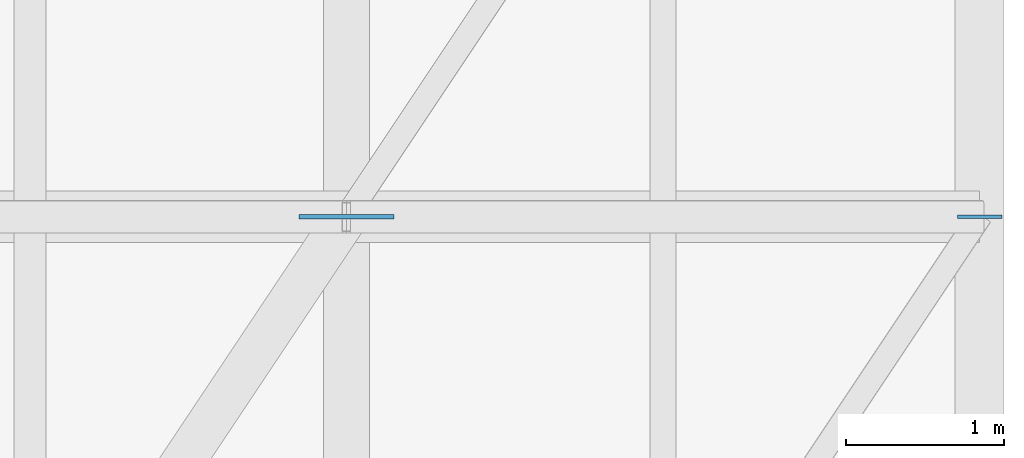
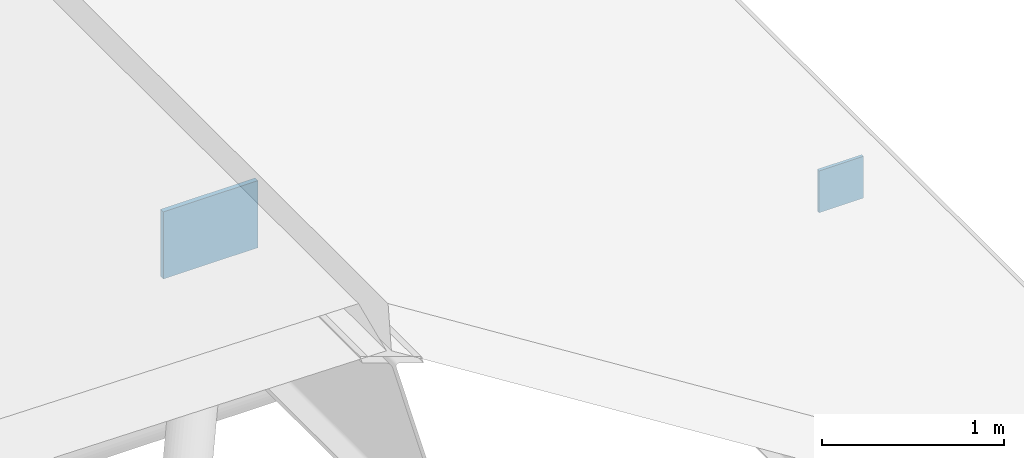
# One storey, part 24 of 27: 2 plates.
"""IFC4 building model written with IfcOpenShell, lengths in metres."""

import ifcopenshell
import ifcopenshell.guid

model = None  # the IFC model being written
_history = None  # IfcOwnerHistory: only IFC2X3 demands one
_inside = {}  # id of a spatial element -> (the spatial element, [elements in it])
_under = {}  # id of a project, library or spatial element -> (it, [spatial elements below it])
_declared = {}  # id of a project -> (the project, [libraries it declares])
_typed = {}  # id of a type object -> (the type object, [elements of that type])
_made_of = {}  # id of a material, layer set ... -> (it, [elements and type objects made of it])


def new_model(schema):
    """Start an empty IFC model of exactly this schema.

    Asked for "IFC4X3", IfcOpenShell would pick the latest addendum, in which some entities
    have other attributes; the version numbers below select the first issue.
    IFC2X3 requires an IfcOwnerHistory on every rooted entity: one is made here for all.
    """
    global model, _history
    if schema == "IFC4X3":
        model = ifcopenshell.file(schema_version=(4, 3, 0, 0))
    else:
        model = ifcopenshell.file(schema=schema)
    _inside.clear()
    _under.clear()
    _declared.clear()
    _typed.clear()
    _made_of.clear()
    _history = None
    if model.schema == "IFC2X3":
        org = make("IfcOrganization", Name="unknown")
        user = make(
            "IfcPersonAndOrganization",
            ThePerson=make("IfcPerson", FamilyName="unknown"),
            TheOrganization=org,
        )
        app = make(
            "IfcApplication",
            ApplicationDeveloper=org,
            Version="unknown",
            ApplicationFullName="unknown",
            ApplicationIdentifier="unknown",
        )
        _history = make(
            "IfcOwnerHistory",
            OwningUser=user,
            OwningApplication=app,
            ChangeAction="ADDED",
            CreationDate=0,
        )
    return model


def make(cls, **values):
    """One entity of the class cls with the attributes given. An attribute that is None is left unset."""
    return model.create_entity(
        cls, **{name: value for name, value in values.items() if value is not None}
    )


def rooted(cls, **values):
    """An entity with a GlobalId (a new one), such as an element, a storey or a relation."""
    return make(cls, GlobalId=ifcopenshell.guid.new(), OwnerHistory=_history, **values)


def si_unit(unit_type, name, prefix=None):
    """IfcSIUnit, for example si_unit("LENGTHUNIT", "METRE", prefix="MILLI")."""
    return make("IfcSIUnit", UnitType=unit_type, Prefix=prefix, Name=name)


def assignment(units):
    """IfcUnitAssignment: the units of a project."""
    return None if units is None else make("IfcUnitAssignment", Units=units)


def point(xyz):
    """IfcCartesianPoint."""
    return None if xyz is None else make("IfcCartesianPoint", Coordinates=xyz)


def direction(xyz):
    """IfcDirection."""
    return None if xyz is None else make("IfcDirection", DirectionRatios=xyz)


def frame(location, z_axis=None, x_axis=None):
    """IfcAxis2Placement3D, a coordinate frame: its origin and axes. An axis left out is left unset."""
    return make(
        "IfcAxis2Placement3D",
        Location=point(location),
        Axis=direction(z_axis),
        RefDirection=direction(x_axis),
    )


def frame_2d(location, x_axis=None):
    """IfcAxis2Placement2D, a coordinate frame in the plane: its origin and x axis."""
    return make(
        "IfcAxis2Placement2D", Location=point(location), RefDirection=direction(x_axis)
    )


def origin():
    """The frame at (0, 0, 0) with its axes left unset."""
    return frame((0.0, 0.0, 0.0))


def origin_2d():
    """The frame at (0, 0) in the plane with its x axis left unset."""
    return frame_2d((0.0, 0.0))


def place(relative_to, where):
    """IfcLocalPlacement: puts the frame where relative to a parent placement (None: the world)."""
    return make(
        "IfcLocalPlacement", PlacementRelTo=relative_to, RelativePlacement=where
    )


def context(
    kind, dimensions, precision=None, world=None, true_north=None, identifier=None
):
    """IfcGeometricRepresentationContext, for example the 3D "Model" context."""
    return make(
        "IfcGeometricRepresentationContext",
        ContextIdentifier=identifier,
        ContextType=kind,
        CoordinateSpaceDimension=dimensions,
        Precision=precision,
        WorldCoordinateSystem=world,
        TrueNorth=true_north,
    )


def subcontext(parent, identifier, kind, view, scale=None):
    """IfcGeometricRepresentationSubContext, for example "Body" below "Model"."""
    return make(
        "IfcGeometricRepresentationSubContext",
        ContextIdentifier=identifier,
        ContextType=kind,
        ParentContext=parent,
        TargetScale=scale,
        TargetView=view,
    )


def project(units=None, contexts=None):
    """IfcProject with its units and contexts."""
    return rooted(
        "IfcProject",
        Name="project",
        RepresentationContexts=contexts,
        UnitsInContext=assignment(units),
    )


def spatial(cls, under=None, at=None, **own):
    """A site, building, storey or space (cls), placed at a placement, below another one or the project."""
    s = rooted(cls, ObjectPlacement=at, **own)
    if under is not None:
        _under.setdefault(under.id(), (under, []))[1].append(s)
    return s


def profile(cls, at=None, kind="AREA", **sizes):
    """A parametric profile (cls). Its sizes go by their IFC names, for example OverallWidth=200.0."""
    return make(cls, ProfileType=kind, Position=at, **sizes)


def rectangle(**sizes):
    """IfcRectangleProfileDef."""
    return profile("IfcRectangleProfileDef", **sizes)


def extrude(swept, where, along, depth):
    """IfcExtrudedAreaSolid: the profile swept, set in the frame where, extruded along a direction by depth."""
    return make(
        "IfcExtrudedAreaSolid",
        SweptArea=swept,
        Position=where,
        ExtrudedDirection=direction(along),
        Depth=depth,
    )


def shape(context_of_items, identifier, shape_type, items):
    """IfcShapeRepresentation: the items that make up one representation, for example the "Body"."""
    return make(
        "IfcShapeRepresentation",
        ContextOfItems=context_of_items,
        RepresentationIdentifier=identifier,
        RepresentationType=shape_type,
        Items=items,
    )


def material(Name=None, Category=None):
    """IfcMaterial."""
    return make("IfcMaterial", Name=Name, Category=Category)


def layer(
    of_material, thickness, ventilated=None, Name=None, Category=None, Priority=None
):
    """IfcMaterialLayer: one layer of a wall or slab, of a material (None: an air gap)."""
    return make(
        "IfcMaterialLayer",
        Material=of_material,
        LayerThickness=thickness,
        IsVentilated=ventilated,
        Name=Name,
        Category=Category,
        Priority=Priority,
    )


def layer_set(layers, Name=None):
    """IfcMaterialLayerSet."""
    return make("IfcMaterialLayerSet", MaterialLayers=layers, LayerSetName=Name)


def made_of(thing, what):
    """Note that an element or type object is made of a material, layer set ...; save() writes the relation."""
    if what is not None:
        _made_of.setdefault(what.id(), (what, []))[1].append(thing)
    return thing


def type_object(cls, material=None, **own):
    """A type object (cls), such as IfcWallType, which elements share."""
    return made_of(rooted(cls, **own), material)


def element(
    cls,
    number,
    at=None,
    inside=None,
    cuts=None,
    type_object=None,
    material=None,
    context=None,
    identifier="Body",
    shape_type=None,
    held_by="IfcProductDefinitionShape",
    body=None,
    shapes=None,
    **own,
):
    """One element of the class cls, such as IfcWall. Its Tag is "e" and its number.

    at: its placement. inside: the storey or other place that contains it. cuts: it is an
    opening in that element (IfcRelVoidsElement). A single representation is given by context,
    identifier, shape_type and body (its items); several are given by shapes. held_by: the class
    of the entity that holds the representations. save() writes the other relations.
    """
    e = rooted(cls, Tag="e%d" % number, ObjectPlacement=at, **own)
    if body is not None:
        shapes = [shape(context, identifier, shape_type, body)]
    if shapes is not None:
        e.Representation = make(held_by, Representations=shapes)
    if inside is not None:
        _inside.setdefault(inside.id(), (inside, []))[1].append(e)
    if cuts is not None:
        rooted(
            "IfcRelVoidsElement", RelatingBuildingElement=cuts, RelatedOpeningElement=e
        )
    if type_object is not None:
        _typed.setdefault(type_object.id(), (type_object, []))[1].append(e)
    return made_of(e, material)


def aggregate(whole, parts):
    """IfcRelAggregates: a whole, such as a stair, and the parts it consists of."""
    return rooted("IfcRelAggregates", RelatingObject=whole, RelatedObjects=parts)


def save(model, path):
    """Write the relations noted so far, then the file.

    IfcRelAggregates (storeys below a building ...), IfcRelContainedInSpatialStructure (elements
    in a storey), IfcRelDefinesByType, IfcRelAssociatesMaterial and IfcRelDeclares: one each for
    every whole, place, type object, material and project.
    """
    for whole, parts in _under.values():
        aggregate(whole, parts)
    for where, things in _inside.values():
        rooted(
            "IfcRelContainedInSpatialStructure",
            RelatedElements=things,
            RelatingStructure=where,
        )
    for kind, things in _typed.values():
        rooted("IfcRelDefinesByType", RelatedObjects=things, RelatingType=kind)
    for what, things in _made_of.values():
        rooted("IfcRelAssociatesMaterial", RelatedObjects=things, RelatingMaterial=what)
    for by, libraries in _declared.values():
        rooted("IfcRelDeclares", RelatingContext=by, RelatedDefinitions=libraries)
    model.write(path)


model = new_model("IFC4")

# Units and contexts
model_context = context("Model", 3, precision=1e-05, world=origin(), true_north=direction((0.0, 1.0)))
body_context = subcontext(model_context, "Body", "Model", "MODEL_VIEW")
ifc_project = project(units=[si_unit("LENGTHUNIT", "METRE"), si_unit("AREAUNIT", "SQUARE_METRE"), si_unit("VOLUMEUNIT", "CUBIC_METRE"), si_unit("PLANEANGLEUNIT", "RADIAN"), si_unit("MASSUNIT", "GRAM", prefix="KILO")], contexts=[model_context])

# Site, building, storey
site_placement = place(None, origin())
site = spatial("IfcSite", under=ifc_project, at=site_placement, CompositionType="ELEMENT")
building_placement = place(site_placement, origin())
building = spatial("IfcBuilding", under=site, at=building_placement, Name="Verrall Gate Interchange", CompositionType="ELEMENT")
storey_placement = place(building_placement, frame((0.0, 0.0, 32.800048828125)))
storey = spatial("IfcBuildingStorey", under=building, at=storey_placement, Name="RF", CompositionType="ELEMENT", Elevation=32.800048828125)

# Plates
ifc_material_1 = material(Name="Structural Steel CSA G40.21 350WT Cat 4", Category="steel")
ifc_layer_1 = layer(ifc_material_1, 0.02001953125)
ifc_layer_set_1 = layer_set([ifc_layer_1], Name="Structural Steel CSA G40.21 350WT Cat 4")
plate_type_1 = type_object("IfcPlateType", Name="GP-01 Gusset Plate 20", PredefinedType="SHEET", material=ifc_layer_set_1)
plate_1_placement = place(storey_placement, frame((108.0, 42.0, -16.9482421875), z_axis=(0.0, 0.0, 1.0), x_axis=(1.0, 0.0, 0.0)))
element("IfcPlate", 1, at=plate_1_placement, inside=storey, type_object=plate_type_1, Name="Folded-Plate Valley Gusset Node KN-V9-1-5", PredefinedType="SHEET", context=body_context, shape_type="SweptSolid", body=[
    extrude(rectangle(XDim=0.280029296875, YDim=0.02001953125, at=origin_2d()), origin(), (0.0, 0.0, 1.0), 0.280029296875),
])
ifc_material_2 = material(Name="Structural Steel CSA G40.21 350WT Cat 4", Category="steel")
ifc_layer_2 = layer(ifc_material_2, 0.030029296875)
ifc_layer_set_2 = layer_set([ifc_layer_2], Name="Structural Steel CSA G40.21 350WT Cat 4")
plate_type_2 = type_object("IfcPlateType", Name="GP-02 Gusset Plate 30", PredefinedType="SHEET", material=ifc_layer_set_2)
plate_2_placement = place(storey_placement, frame((104.0, 42.0, -15.93310546875), z_axis=(0.0, 0.0, 1.0), x_axis=(1.0, 0.0, 0.0)))
element("IfcPlate", 2, at=plate_2_placement, inside=storey, type_object=plate_type_2, Name="Folded-Plate Ridge Gusset Node KN-R9-5", PredefinedType="SHEET", context=body_context, shape_type="SweptSolid", body=[
    extrude(rectangle(XDim=0.60009765625, YDim=0.030029296875, at=origin_2d()), origin(), (0.0, 0.0, 1.0), 0.449951171875),
])

save(model, "model.ifc")
